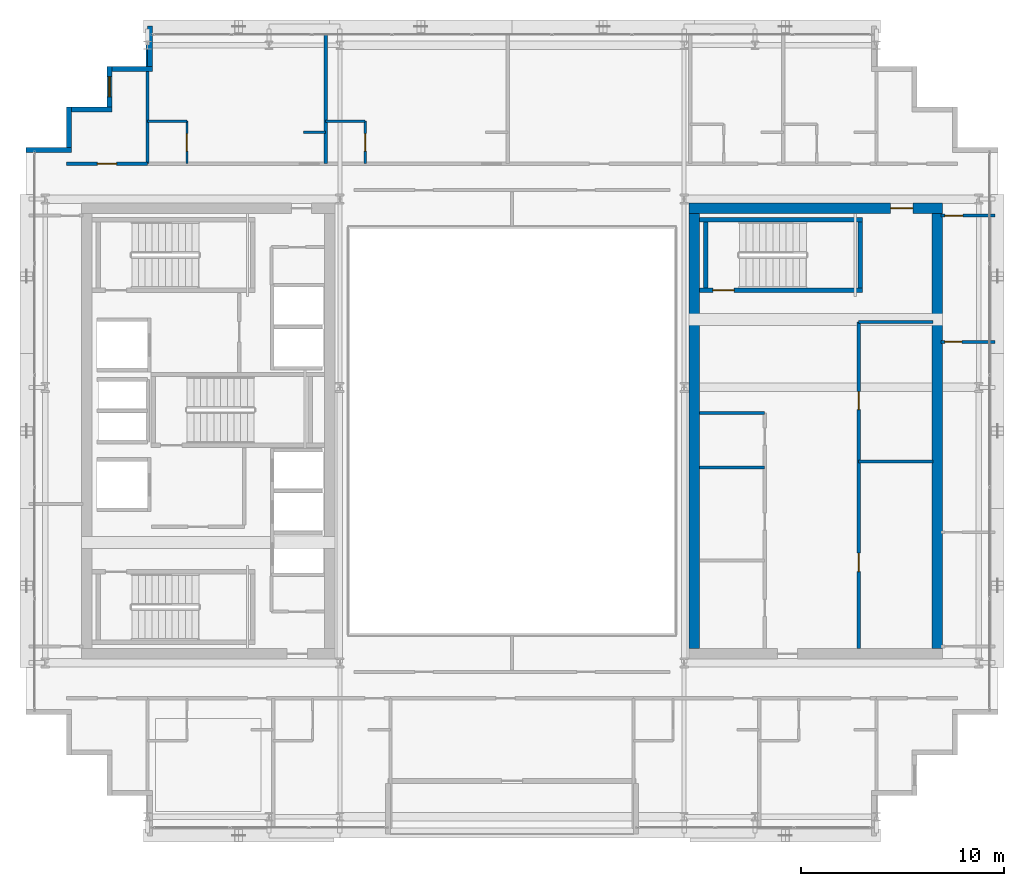
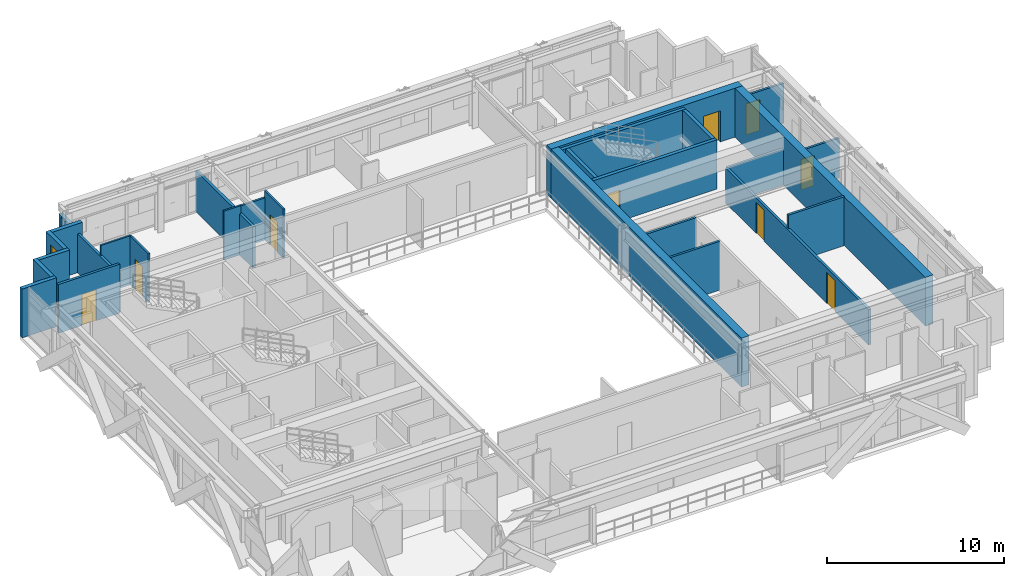
# One storey, part 26 of 31: 28 walls, 9 doors, 1 window, 10 openings.
"""IFC4 building model written with IfcOpenShell, lengths in metres."""

import ifcopenshell
import ifcopenshell.guid

model = None  # the IFC model being written
_history = None  # IfcOwnerHistory: only IFC2X3 demands one
_inside = {}  # id of a spatial element -> (the spatial element, [elements in it])
_under = {}  # id of a project, library or spatial element -> (it, [spatial elements below it])
_declared = {}  # id of a project -> (the project, [libraries it declares])
_typed = {}  # id of a type object -> (the type object, [elements of that type])
_made_of = {}  # id of a material, layer set ... -> (it, [elements and type objects made of it])


def new_model(schema):
    """Start an empty IFC model of exactly this schema.

    Asked for "IFC4X3", IfcOpenShell would pick the latest addendum, in which some entities
    have other attributes; the version numbers below select the first issue.
    IFC2X3 requires an IfcOwnerHistory on every rooted entity: one is made here for all.
    """
    global model, _history
    if schema == "IFC4X3":
        model = ifcopenshell.file(schema_version=(4, 3, 0, 0))
    else:
        model = ifcopenshell.file(schema=schema)
    _inside.clear()
    _under.clear()
    _declared.clear()
    _typed.clear()
    _made_of.clear()
    _history = None
    if model.schema == "IFC2X3":
        org = make("IfcOrganization", Name="unknown")
        user = make(
            "IfcPersonAndOrganization",
            ThePerson=make("IfcPerson", FamilyName="unknown"),
            TheOrganization=org,
        )
        app = make(
            "IfcApplication",
            ApplicationDeveloper=org,
            Version="unknown",
            ApplicationFullName="unknown",
            ApplicationIdentifier="unknown",
        )
        _history = make(
            "IfcOwnerHistory",
            OwningUser=user,
            OwningApplication=app,
            ChangeAction="ADDED",
            CreationDate=0,
        )
    return model


def make(cls, **values):
    """One entity of the class cls with the attributes given. An attribute that is None is left unset."""
    return model.create_entity(
        cls, **{name: value for name, value in values.items() if value is not None}
    )


def rooted(cls, **values):
    """An entity with a GlobalId (a new one), such as an element, a storey or a relation."""
    return make(cls, GlobalId=ifcopenshell.guid.new(), OwnerHistory=_history, **values)


def si_unit(unit_type, name, prefix=None):
    """IfcSIUnit, for example si_unit("LENGTHUNIT", "METRE", prefix="MILLI")."""
    return make("IfcSIUnit", UnitType=unit_type, Prefix=prefix, Name=name)


def assignment(units):
    """IfcUnitAssignment: the units of a project."""
    return None if units is None else make("IfcUnitAssignment", Units=units)


def point(xyz):
    """IfcCartesianPoint."""
    return None if xyz is None else make("IfcCartesianPoint", Coordinates=xyz)


def direction(xyz):
    """IfcDirection."""
    return None if xyz is None else make("IfcDirection", DirectionRatios=xyz)


def frame(location, z_axis=None, x_axis=None):
    """IfcAxis2Placement3D, a coordinate frame: its origin and axes. An axis left out is left unset."""
    return make(
        "IfcAxis2Placement3D",
        Location=point(location),
        Axis=direction(z_axis),
        RefDirection=direction(x_axis),
    )


def frame_2d(location, x_axis=None):
    """IfcAxis2Placement2D, a coordinate frame in the plane: its origin and x axis."""
    return make(
        "IfcAxis2Placement2D", Location=point(location), RefDirection=direction(x_axis)
    )


def origin():
    """The frame at (0, 0, 0) with its axes left unset."""
    return frame((0.0, 0.0, 0.0))


def place(relative_to, where):
    """IfcLocalPlacement: puts the frame where relative to a parent placement (None: the world)."""
    return make(
        "IfcLocalPlacement", PlacementRelTo=relative_to, RelativePlacement=where
    )


def context(
    kind, dimensions, precision=None, world=None, true_north=None, identifier=None
):
    """IfcGeometricRepresentationContext, for example the 3D "Model" context."""
    return make(
        "IfcGeometricRepresentationContext",
        ContextIdentifier=identifier,
        ContextType=kind,
        CoordinateSpaceDimension=dimensions,
        Precision=precision,
        WorldCoordinateSystem=world,
        TrueNorth=true_north,
    )


def subcontext(parent, identifier, kind, view, scale=None):
    """IfcGeometricRepresentationSubContext, for example "Body" below "Model"."""
    return make(
        "IfcGeometricRepresentationSubContext",
        ContextIdentifier=identifier,
        ContextType=kind,
        ParentContext=parent,
        TargetScale=scale,
        TargetView=view,
    )


def project(units=None, contexts=None):
    """IfcProject with its units and contexts."""
    return rooted(
        "IfcProject",
        Name="project",
        RepresentationContexts=contexts,
        UnitsInContext=assignment(units),
    )


def spatial(cls, under=None, at=None, **own):
    """A site, building, storey or space (cls), placed at a placement, below another one or the project."""
    s = rooted(cls, ObjectPlacement=at, **own)
    if under is not None:
        _under.setdefault(under.id(), (under, []))[1].append(s)
    return s


def profile(cls, at=None, kind="AREA", **sizes):
    """A parametric profile (cls). Its sizes go by their IFC names, for example OverallWidth=200.0."""
    return make(cls, ProfileType=kind, Position=at, **sizes)


def rectangle(**sizes):
    """IfcRectangleProfileDef."""
    return profile("IfcRectangleProfileDef", **sizes)


def extrude(swept, where, along, depth):
    """IfcExtrudedAreaSolid: the profile swept, set in the frame where, extruded along a direction by depth."""
    return make(
        "IfcExtrudedAreaSolid",
        SweptArea=swept,
        Position=where,
        ExtrudedDirection=direction(along),
        Depth=depth,
    )


def shape(context_of_items, identifier, shape_type, items):
    """IfcShapeRepresentation: the items that make up one representation, for example the "Body"."""
    return make(
        "IfcShapeRepresentation",
        ContextOfItems=context_of_items,
        RepresentationIdentifier=identifier,
        RepresentationType=shape_type,
        Items=items,
    )


def source(mapping_origin, context_of_items, identifier, shape_type, items):
    """IfcRepresentationMap: a shape defined once, which mapped items show again and again."""
    return make(
        "IfcRepresentationMap",
        MappingOrigin=mapping_origin,
        MappedRepresentation=shape(context_of_items, identifier, shape_type, items),
    )


def transform(
    local_origin,
    x_axis=None,
    y_axis=None,
    z_axis=None,
    scale=None,
    scale2=None,
    scale3=None,
    uniform=True,
):
    """IfcCartesianTransformationOperator3D, or its non-uniform kind. x_axis, y_axis, z_axis: its Axis1, 2, 3."""
    if uniform:
        return make(
            "IfcCartesianTransformationOperator3D",
            Axis1=direction(x_axis),
            Axis2=direction(y_axis),
            LocalOrigin=point(local_origin),
            Scale=scale,
            Axis3=direction(z_axis),
        )
    return make(
        "IfcCartesianTransformationOperator3DnonUniform",
        Axis1=direction(x_axis),
        Axis2=direction(y_axis),
        LocalOrigin=point(local_origin),
        Scale=scale,
        Axis3=direction(z_axis),
        Scale2=scale2,
        Scale3=scale3,
    )


def mapped(mapping_source, mapping_target):
    """IfcMappedItem: shows the shape of a source again, moved by a transform."""
    return make(
        "IfcMappedItem", MappingSource=mapping_source, MappingTarget=mapping_target
    )


def material(Name=None, Category=None):
    """IfcMaterial."""
    return make("IfcMaterial", Name=Name, Category=Category)


def layer(
    of_material, thickness, ventilated=None, Name=None, Category=None, Priority=None
):
    """IfcMaterialLayer: one layer of a wall or slab, of a material (None: an air gap)."""
    return make(
        "IfcMaterialLayer",
        Material=of_material,
        LayerThickness=thickness,
        IsVentilated=ventilated,
        Name=Name,
        Category=Category,
        Priority=Priority,
    )


def layer_set(layers, Name=None):
    """IfcMaterialLayerSet."""
    return make("IfcMaterialLayerSet", MaterialLayers=layers, LayerSetName=Name)


def made_of(thing, what):
    """Note that an element or type object is made of a material, layer set ...; save() writes the relation."""
    if what is not None:
        _made_of.setdefault(what.id(), (what, []))[1].append(thing)
    return thing


def type_object(cls, material=None, **own):
    """A type object (cls), such as IfcWallType, which elements share."""
    return made_of(rooted(cls, **own), material)


def element(
    cls,
    number,
    at=None,
    inside=None,
    cuts=None,
    type_object=None,
    material=None,
    context=None,
    identifier="Body",
    shape_type=None,
    held_by="IfcProductDefinitionShape",
    body=None,
    shapes=None,
    **own,
):
    """One element of the class cls, such as IfcWall. Its Tag is "e" and its number.

    at: its placement. inside: the storey or other place that contains it. cuts: it is an
    opening in that element (IfcRelVoidsElement). A single representation is given by context,
    identifier, shape_type and body (its items); several are given by shapes. held_by: the class
    of the entity that holds the representations. save() writes the other relations.
    """
    e = rooted(cls, Tag="e%d" % number, ObjectPlacement=at, **own)
    if body is not None:
        shapes = [shape(context, identifier, shape_type, body)]
    if shapes is not None:
        e.Representation = make(held_by, Representations=shapes)
    if inside is not None:
        _inside.setdefault(inside.id(), (inside, []))[1].append(e)
    if cuts is not None:
        rooted(
            "IfcRelVoidsElement", RelatingBuildingElement=cuts, RelatedOpeningElement=e
        )
    if type_object is not None:
        _typed.setdefault(type_object.id(), (type_object, []))[1].append(e)
    return made_of(e, material)


def fill(opening, filler):
    """IfcRelFillsElement: the door or window that sits in an opening."""
    return rooted(
        "IfcRelFillsElement",
        RelatingOpeningElement=opening,
        RelatedBuildingElement=filler,
    )


def aggregate(whole, parts):
    """IfcRelAggregates: a whole, such as a stair, and the parts it consists of."""
    return rooted("IfcRelAggregates", RelatingObject=whole, RelatedObjects=parts)


def save(model, path):
    """Write the relations noted so far, then the file.

    IfcRelAggregates (storeys below a building ...), IfcRelContainedInSpatialStructure (elements
    in a storey), IfcRelDefinesByType, IfcRelAssociatesMaterial and IfcRelDeclares: one each for
    every whole, place, type object, material and project.
    """
    for whole, parts in _under.values():
        aggregate(whole, parts)
    for where, things in _inside.values():
        rooted(
            "IfcRelContainedInSpatialStructure",
            RelatedElements=things,
            RelatingStructure=where,
        )
    for kind, things in _typed.values():
        rooted("IfcRelDefinesByType", RelatedObjects=things, RelatingType=kind)
    for what, things in _made_of.values():
        rooted("IfcRelAssociatesMaterial", RelatedObjects=things, RelatingMaterial=what)
    for by, libraries in _declared.values():
        rooted("IfcRelDeclares", RelatingContext=by, RelatedDefinitions=libraries)
    model.write(path)


model = new_model("IFC4")

# Units and contexts
model_context = context("Model", 3, precision=1e-05, world=origin(), true_north=direction((0.0, 1.0)))
body_context = subcontext(model_context, "Body", "Model", "MODEL_VIEW")
ifc_project = project(units=[si_unit("LENGTHUNIT", "METRE"), si_unit("AREAUNIT", "SQUARE_METRE"), si_unit("VOLUMEUNIT", "CUBIC_METRE"), si_unit("PLANEANGLEUNIT", "RADIAN"), si_unit("MASSUNIT", "GRAM", prefix="KILO")], contexts=[model_context])

# Site, building, storey
site_placement = place(None, origin())
site = spatial("IfcSite", under=ifc_project, at=site_placement, CompositionType="ELEMENT")
building_placement = place(site_placement, origin())
building = spatial("IfcBuilding", under=site, at=building_placement, Name="Ocotamira Hotel", CompositionType="ELEMENT")
storey_placement = place(building_placement, frame((0.0, 0.0, 174.0)))
storey = spatial("IfcBuildingStorey", under=building, at=storey_placement, Name="L43", CompositionType="ELEMENT", Elevation=174.0)

# Wall, opening, door
ifc_material_1 = material(Name="Concrete C50/60", Category="concrete")
ifc_layer_1 = layer(ifc_material_1, 0.5)
ifc_layer_set_1 = layer_set([ifc_layer_1], Name="Concrete C50/60")
wall_type_1 = type_object("IfcWallType", Name="WL-CORE-500", PredefinedType="SHEAR", material=ifc_layer_set_1)
wall_1_placement = place(storey_placement, frame((40.75, 37.0, 0.0), z_axis=(0.0, 0.0, 1.0), x_axis=(1.0, 0.0, 0.0)))
wall_1 = element("IfcWall", 1, at=wall_1_placement, inside=storey, type_object=wall_type_1, Name="L43 Shear Core Wall ECORE-N", PredefinedType="SHEAR", context=body_context, shape_type="SweptSolid", body=[
    extrude(rectangle(XDim=12.5, YDim=0.5, at=frame_2d((6.25, 0.0))), origin(), (0.0, 0.0, 1.0), 3.3701171875),
])
opening_1_placement = place(wall_1_placement, frame((9.949951171875, 0.0, 0.0)))
opening_1 = element("IfcOpeningElement", 2, at=opening_1_placement, cuts=wall_1, Name="Opening D-FR1", PredefinedType="OPENING", context=body_context, shape_type="SweptSolid", body=[
    extrude(rectangle(XDim=1.10009765625, YDim=2.14990234375, at=frame_2d((0.550048828125, 1.074951171875))), frame((0.0, 0.260009765625, 0.0), z_axis=(0.0, -1.0, 0.0), x_axis=(1.0, 0.0, 0.0)), (0.0, 0.0, 1.0), 0.52001953125),
])
ifc_material_2 = material(Name="Fire-rated acoustic timber-veneer door", Category="wood")
door_type_1 = type_object("IfcDoorType", Name="DR-FIRE-1100", OperationType="NOTDEFINED", PredefinedType="DOOR", material=ifc_material_2)
shared_shape_1 = source(origin(), body_context, "Body", "SweptSolid", [
    extrude(rectangle(XDim=1.10009765625, YDim=2.14990234375, at=frame_2d((0.550048828125, 1.074951171875))), frame((0.0, 0.02490234375, 0.0), z_axis=(0.0, -1.0, 0.0), x_axis=(1.0, 0.0, 0.0)), (0.0, 0.0, 1.0), 0.050048828125),
])
door_1_placement = place(opening_1_placement, origin())
door_1 = element("IfcDoor", 3, at=door_1_placement, inside=storey, type_object=door_type_1, Name="L43 Door ID-L43-ELOB-N-D [ID-L43-ELOB-N-D]", OperationType="SINGLE_SWING_LEFT", OverallHeight=2.14990234375, OverallWidth=1.10009765625, PredefinedType="DOOR", context=body_context, shape_type="MappedRepresentation", body=[
    mapped(shared_shape_1, transform((0.0, 0.0, 0.0), scale=1.0)),
])
fill(opening_1, door_1)

# Walls
for number, where, z_axis, x_axis, name in (
    (4, (41.0, 15.25, 0.0), (0.0, 0.0, 1.0), (0.0, 1.0, 0.0), "L43 Shear Core Wall ECORE-W"),
    (5, (53.0, 15.25, 0.0), (0.0, 0.0, 1.0), (0.0, 1.0, 0.0), "L43 Shear Core Wall ECORE-E"),
):
    element("IfcWall", number, at=place(storey_placement, frame(where, z_axis=z_axis, x_axis=x_axis)), inside=storey, type_object=wall_type_1, Name=name, PredefinedType="SHEAR", context=body_context, shape_type="SweptSolid", body=[
        extrude(rectangle(XDim=21.5, YDim=0.5, at=frame_2d((10.75, 0.0))), origin(), (0.0, 0.0, 1.0), 3.3701171875),
    ])
ifc_material_3 = material(Name="Precast concrete C45/55", Category="concrete")
ifc_layer_2 = layer(ifc_material_3, 0.25)
ifc_layer_set_2 = layer_set([ifc_layer_2], Name="Precast concrete C45/55")
wall_type_2 = type_object("IfcWallType", Name="WL-EXT-SER-250", PredefinedType="SOLIDWALL", material=ifc_layer_set_2)
wall_2_placement = place(storey_placement, frame((14.125, 46.0, 0.0), z_axis=(0.0, 0.0, 1.0), x_axis=(0.0, -1.0, 0.0)))
element("IfcWall", 6, at=wall_2_placement, inside=storey, type_object=wall_type_2, Name="L43 Serrated Corner Wall 13", PredefinedType="SOLIDWALL", context=body_context, shape_type="SweptSolid", body=[
    extrude(rectangle(XDim=2.0, YDim=0.25, at=frame_2d((1.0, 0.0))), origin(), (0.0, 0.0, 1.0), 2.677001953125),
])
wall_3_placement = place(storey_placement, frame((14.25, 43.875, 0.0), z_axis=(0.0, 0.0, 1.0), x_axis=(-1.0, 0.0, 0.0)))
element("IfcWall", 7, at=wall_3_placement, inside=storey, type_object=wall_type_2, Name="L43 Serrated Corner Wall 14", PredefinedType="SOLIDWALL", context=body_context, shape_type="SweptSolid", body=[
    extrude(rectangle(XDim=2.0, YDim=0.25, at=frame_2d((1.0, 0.0))), origin(), (0.0, 0.0, 1.0), 3.3701171875),
])

# Wall, opening, window
wall_4_placement = place(storey_placement, frame((12.125, 44.0, 0.0), z_axis=(0.0, 0.0, 1.0), x_axis=(0.0, -1.0, 0.0)))
wall_4 = element("IfcWall", 8, at=wall_4_placement, inside=storey, type_object=wall_type_2, Name="L43 Serrated Corner Wall 15", PredefinedType="SOLIDWALL", context=body_context, shape_type="SweptSolid", body=[
    extrude(rectangle(XDim=2.0, YDim=0.25, at=frame_2d((1.0, 0.0))), origin(), (0.0, 0.0, 1.0), 3.3701171875),
])
opening_2_placement = place(wall_4_placement, frame((0.5, 0.0, 0.85009765625)))
opening_2 = element("IfcOpeningElement", 9, at=opening_2_placement, cuts=wall_4, Name="Opening WN-2", PredefinedType="OPENING", context=body_context, shape_type="SweptSolid", body=[
    extrude(rectangle(XDim=1.0, YDim=1.89990234375, at=frame_2d((0.5, 0.949951171875))), frame((0.0, 0.135009765625, 0.0), z_axis=(0.0, -1.0, 0.0), x_axis=(1.0, 0.0, 0.0)), (0.0, 0.0, 1.0), 0.27001953125),
])
ifc_material_4 = material(Name="Double-silver low-E solar glass", Category="glass")
window_type = type_object("IfcWindowType", Name="WIN-SER-1100", PartitioningType="SINGLE_PANEL", PredefinedType="WINDOW", material=ifc_material_4)
shared_shape_2 = source(origin(), body_context, "Body", "SweptSolid", [
    extrude(rectangle(XDim=1.0, YDim=1.89990234375, at=frame_2d((0.5, 0.949951171875))), frame((0.0, 0.030029296875, 0.0), z_axis=(0.0, -1.0, 0.0), x_axis=(1.0, 0.0, 0.0)), (0.0, 0.0, 1.0), 0.06005859375),
])
window_placement = place(opening_2_placement, origin())
window = element("IfcWindow", 10, at=window_placement, inside=storey, type_object=window_type, Name="L43 Serrated Corner Window 15", OverallHeight=1.89990234375, OverallWidth=1.0, PartitioningType="SINGLE_PANEL", PredefinedType="WINDOW", context=body_context, shape_type="MappedRepresentation", body=[
    mapped(shared_shape_2, transform((0.0, 0.0, 0.0), scale=1.0)),
])
fill(opening_2, window)

# Walls
for number, where, z_axis, x_axis, name in (
    (11, (12.25, 41.875, 0.0), (0.0, 0.0, 1.0), (-1.0, 0.0, 0.0), "L43 Serrated Corner Wall 16"),
    (12, (10.125, 42.0, 0.0), (0.0, 0.0, 1.0), (0.0, -1.0, 0.0), "L43 Serrated Corner Wall 17"),
):
    element("IfcWall", number, at=place(storey_placement, frame(where, z_axis=z_axis, x_axis=x_axis)), inside=storey, type_object=wall_type_2, Name=name, PredefinedType="SOLIDWALL", context=body_context, shape_type="SweptSolid", body=[
        extrude(rectangle(XDim=2.0, YDim=0.25, at=frame_2d((1.0, 0.0))), origin(), (0.0, 0.0, 1.0), 3.3701171875),
    ])
wall_5_placement = place(storey_placement, frame((10.25, 39.875, 0.0), z_axis=(0.0, 0.0, 1.0), x_axis=(-1.0, 0.0, 0.0)))
element("IfcWall", 13, at=wall_5_placement, inside=storey, type_object=wall_type_2, Name="L43 Serrated Corner Wall 18", PredefinedType="SOLIDWALL", context=body_context, shape_type="SweptSolid", body=[
    extrude(rectangle(XDim=2.25, YDim=0.25, at=frame_2d((1.125, 0.0))), origin(), (0.0, 0.0, 1.0), 3.3701171875),
])
ifc_material_5 = material(Name="Acoustic double-layer fire gypsum board partition", Category="gypsum")
ifc_layer_3 = layer(ifc_material_5, 0.159912109375)
ifc_layer_set_3 = layer_set([ifc_layer_3], Name="Acoustic double-layer fire gypsum board partition")
wall_type_3 = type_object("IfcWallType", Name="WL-FIRE-160", PredefinedType="PARTITIONING", material=ifc_layer_set_3)
wall_6_placement = place(storey_placement, frame((49.1201171875, 31.3798828125, 0.0), z_axis=(0.0, 0.0, 1.0), x_axis=(1.0, 0.0, 0.0)))
element("IfcWall", 14, at=wall_6_placement, inside=storey, type_object=wall_type_3, Name="L43 Interior Wall PW-L43-EC-FLOW-N", PredefinedType="PARTITIONING", context=body_context, shape_type="SweptSolid", body=[
    extrude(rectangle(XDim=3.679931640625, YDim=0.159912109375, at=frame_2d((1.83984375, 0.0))), origin(), (0.0, 0.0, 1.0), 2.469970703125),
])

# Wall, openings, doors
wall_7_placement = place(storey_placement, frame((49.1201171875, 15.25, 0.0), z_axis=(0.0, 0.0, 1.0), x_axis=(0.0, 1.0, 0.0)))
wall_7 = element("IfcWall", 15, at=wall_7_placement, inside=storey, type_object=wall_type_3, Name="L43 Interior Wall PW-L43-EC-FLOW-W", PredefinedType="PARTITIONING", context=body_context, shape_type="SweptSolid", body=[
    extrude(rectangle(XDim=16.1298828125, YDim=0.159912109375, at=frame_2d((8.06494140625, 0.0))), origin(), (0.0, 0.0, 1.0), 2.443115234375),
])
opening_3_placement = place(wall_7_placement, frame((3.800048828125, 0.0, 0.0)))
opening_3 = element("IfcOpeningElement", 16, at=opening_3_placement, cuts=wall_7, Name="Opening D-SV3", PredefinedType="OPENING", context=body_context, shape_type="SweptSolid", body=[
    extrude(rectangle(XDim=0.919921875, YDim=2.14990234375, at=frame_2d((0.4599609375, 1.074951171875))), frame((0.0, 0.08984375, 0.0), z_axis=(0.0, -1.0, 0.0), x_axis=(1.0, 0.0, 0.0)), (0.0, 0.0, 1.0), 0.179931640625),
])
opening_4_placement = place(wall_7_placement, frame((11.800048828125, 0.0, 0.0)))
opening_4 = element("IfcOpeningElement", 17, at=opening_4_placement, cuts=wall_7, Name="Opening D-IN3", PredefinedType="OPENING", context=body_context, shape_type="SweptSolid", body=[
    extrude(rectangle(XDim=0.89990234375, YDim=2.14990234375, at=frame_2d((0.449951171875, 1.074951171875))), frame((0.0, 0.08984375, 0.0), z_axis=(0.0, -1.0, 0.0), x_axis=(1.0, 0.0, 0.0)), (0.0, 0.0, 1.0), 0.179931640625),
])
ifc_material_6 = material(Name="Painted service room door", Category="steel")
door_type_2 = type_object("IfcDoorType", Name="DR-INT-900", OperationType="NOTDEFINED", PredefinedType="DOOR", material=ifc_material_6)
shared_shape_3 = source(origin(), body_context, "Body", "SweptSolid", [
    extrude(rectangle(XDim=0.89990234375, YDim=2.14990234375, at=frame_2d((0.449951171875, 1.074951171875))), frame((0.0, 0.02490234375, 0.0), z_axis=(0.0, -1.0, 0.0), x_axis=(1.0, 0.0, 0.0)), (0.0, 0.0, 1.0), 0.050048828125),
])
door_2_placement = place(opening_4_placement, origin())
door_2 = element("IfcDoor", 18, at=door_2_placement, inside=storey, type_object=door_type_2, Name="L43 Door ID-L43-EC-FLOW-DB [ID-L43-EC-FLOW-DB]", OperationType="SINGLE_SWING_RIGHT", OverallHeight=2.14990234375, OverallWidth=0.89990234375, PredefinedType="DOOR", context=body_context, shape_type="MappedRepresentation", body=[
    mapped(shared_shape_3, transform((0.0, 0.0, 0.0), scale=1.0)),
])
fill(opening_4, door_2)
ifc_material_7 = material(Name="Fire-rated walnut hospitality door", Category="wood")
door_type_3 = type_object("IfcDoorType", Name="DR-SERV-920", OperationType="NOTDEFINED", PredefinedType="DOOR", material=ifc_material_7)
shared_shape_4 = source(origin(), body_context, "Body", "SweptSolid", [
    extrude(rectangle(XDim=0.919921875, YDim=2.14990234375, at=frame_2d((0.4599609375, 1.074951171875))), frame((0.0, 0.02490234375, 0.0), z_axis=(0.0, -1.0, 0.0), x_axis=(1.0, 0.0, 0.0)), (0.0, 0.0, 1.0), 0.050048828125),
])
door_3_placement = place(opening_3_placement, origin())
door_3 = element("IfcDoor", 19, at=door_3_placement, inside=storey, type_object=door_type_3, Name="L43 Door ID-L43-EC-FLOW-DA [ID-L43-EC-FLOW-DA]", OperationType="SINGLE_SWING_LEFT", OverallHeight=2.14990234375, OverallWidth=0.919921875, PredefinedType="DOOR", context=body_context, shape_type="MappedRepresentation", body=[
    mapped(shared_shape_4, transform((0.0, 0.0, 0.0), scale=1.0)),
])
fill(opening_3, door_3)

# Wall, opening, door
wall_8_placement = place(storey_placement, frame((10.0, 39.199951171875, 0.0), z_axis=(0.0, 0.0, 1.0), x_axis=(1.0, 0.0, 0.0)))
wall_8 = element("IfcWall", 20, at=wall_8_placement, inside=storey, type_object=wall_type_3, Name="L43 Interior Wall PW-L43-Z3B-CNW-CW", PredefinedType="PARTITIONING", context=body_context, shape_type="SweptSolid", body=[
    extrude(rectangle(XDim=4.0, YDim=0.159912109375, at=frame_2d((2.0, 0.0))), origin(), (0.0, 0.0, 1.0), 3.3701171875),
])
opening_5_placement = place(wall_8_placement, frame((1.52001953125, 0.0, 0.0)))
opening_5 = element("IfcOpeningElement", 21, at=opening_5_placement, cuts=wall_8, Name="Opening D-SV4", PredefinedType="OPENING", context=body_context, shape_type="SweptSolid", body=[
    extrude(rectangle(XDim=0.9599609375, YDim=2.14990234375, at=frame_2d((0.47998046875, 1.074951171875))), frame((0.0, 0.08984375, 0.0), z_axis=(0.0, -1.0, 0.0), x_axis=(1.0, 0.0, 0.0)), (0.0, 0.0, 1.0), 0.179931640625),
])
ifc_material_8 = material(Name="Fire-rated accessible walnut salon door", Category="wood")
door_type_4 = type_object("IfcDoorType", Name="DR-SERV-960", OperationType="NOTDEFINED", PredefinedType="DOOR", material=ifc_material_8)
shared_shape_5 = source(origin(), body_context, "Body", "SweptSolid", [
    extrude(rectangle(XDim=0.9599609375, YDim=2.14990234375, at=frame_2d((0.47998046875, 1.074951171875))), frame((0.0, 0.02490234375, 0.0), z_axis=(0.0, -1.0, 0.0), x_axis=(1.0, 0.0, 0.0)), (0.0, 0.0, 1.0), 0.050048828125),
])
door_4_placement = place(opening_5_placement, origin())
door_4 = element("IfcDoor", 22, at=door_4_placement, inside=storey, type_object=door_type_4, Name="L43 Door ID-L43-Z3B-CNW-CD [ID-L43-Z3B-CNW-CD]", OperationType="SINGLE_SWING_LEFT", OverallHeight=2.14990234375, OverallWidth=0.9599609375, PredefinedType="DOOR", context=body_context, shape_type="MappedRepresentation", body=[
    mapped(shared_shape_5, transform((0.0, 0.0, 0.0), scale=1.0)),
])
fill(opening_5, door_4)

ifc_material_9 = material(Name="Moisture-resistant en-suite tile and gypsum partition", Category="gypsum")
ifc_layer_4 = layer(ifc_material_9, 0.1201171875)
ifc_layer_set_4 = layer_set([ifc_layer_4], Name="Moisture-resistant en-suite tile and gypsum partition")
wall_type_4 = type_object("IfcWallType", Name="WL-PART-120", PredefinedType="PARTITIONING", material=ifc_layer_set_4)
wall_9_placement = place(storey_placement, frame((15.949951171875, 39.199951171875, 0.0), z_axis=(0.0, 0.0, 1.0), x_axis=(0.0, 1.0, 0.0)))
wall_9 = element("IfcWall", 23, at=wall_9_placement, inside=storey, type_object=wall_type_4, Name="L43 Interior Wall PW-L43-Z3BN-BAE1", PredefinedType="PARTITIONING", context=body_context, shape_type="SweptSolid", body=[
    extrude(rectangle(XDim=2.10009765625, YDim=0.1201171875, at=frame_2d((1.050048828125, 0.0))), origin(), (0.0, 0.0, 1.0), 3.3701171875),
])
opening_6_placement = place(wall_9_placement, frame((0.6201171875, 0.0, 0.0)))
opening_6 = element("IfcOpeningElement", 24, at=opening_6_placement, cuts=wall_9, Name="Opening D-BA1", PredefinedType="OPENING", context=body_context, shape_type="SweptSolid", body=[
    extrude(rectangle(XDim=0.860107421875, YDim=2.10009765625, at=frame_2d((0.43017578125, 1.050048828125))), frame((0.0, 0.070068359375, 0.0), z_axis=(0.0, -1.0, 0.0), x_axis=(1.0, 0.0, 0.0)), (0.0, 0.0, 1.0), 0.14013671875),
])
ifc_material_10 = material(Name="Moisture-sealed en-suite timber door", Category="wood")
door_type_5 = type_object("IfcDoorType", Name="DR-BATH-860", OperationType="NOTDEFINED", PredefinedType="DOOR", material=ifc_material_10)
shared_shape_6 = source(origin(), body_context, "Body", "SweptSolid", [
    extrude(rectangle(XDim=0.860107421875, YDim=2.10009765625, at=frame_2d((0.43017578125, 1.050048828125))), frame((0.0, 0.02490234375, 0.0), z_axis=(0.0, -1.0, 0.0), x_axis=(1.0, 0.0, 0.0)), (0.0, 0.0, 1.0), 0.050048828125),
])
door_5_placement = place(opening_6_placement, origin())
door_5 = element("IfcDoor", 25, at=door_5_placement, inside=storey, type_object=door_type_5, Name="L43 Door ID-L43-Z3BN-BAD1 [ID-L43-Z3BN-BAD1]", OperationType="SINGLE_SWING_RIGHT", OverallHeight=2.10009765625, OverallWidth=0.860107421875, PredefinedType="DOOR", context=body_context, shape_type="MappedRepresentation", body=[
    mapped(shared_shape_6, transform((0.0, 0.0, 0.0), scale=1.0)),
])
fill(opening_6, door_5)

# Walls
wall_10_placement = place(storey_placement, frame((14.0, 41.300048828125, 0.0), z_axis=(0.0, 0.0, 1.0), x_axis=(1.0, 0.0, 0.0)))
element("IfcWall", 26, at=wall_10_placement, inside=storey, type_object=wall_type_4, Name="L43 Interior Wall PW-L43-Z3BN-BAN1", PredefinedType="PARTITIONING", context=body_context, shape_type="SweptSolid", body=[
    extrude(rectangle(XDim=1.949951171875, YDim=0.1201171875, at=frame_2d((0.97509765625, 0.0))), origin(), (0.0, 0.0, 1.0), 3.3701171875),
])
wall_11_placement = place(storey_placement, frame((21.699951171875, 40.75, 0.0), z_axis=(0.0, 0.0, 1.0), x_axis=(1.0, 0.0, 0.0)))
element("IfcWall", 27, at=wall_11_placement, inside=storey, type_object=wall_type_4, Name="L43 Interior Wall PW-L43-Z3BN-DRN1", PredefinedType="PARTITIONING", context=body_context, shape_type="SweptSolid", body=[
    extrude(rectangle(XDim=1.10009765625, YDim=0.1201171875, at=frame_2d((0.550048828125, 0.0))), origin(), (0.0, 0.0, 1.0), 3.3701171875),
])

# Wall, opening, door
wall_12_placement = place(storey_placement, frame((24.75, 39.199951171875, 0.0), z_axis=(0.0, 0.0, 1.0), x_axis=(0.0, 1.0, 0.0)))
wall_12 = element("IfcWall", 28, at=wall_12_placement, inside=storey, type_object=wall_type_4, Name="L43 Interior Wall PW-L43-Z3BN-BAE2", PredefinedType="PARTITIONING", context=body_context, shape_type="SweptSolid", body=[
    extrude(rectangle(XDim=2.10009765625, YDim=0.1201171875, at=frame_2d((1.050048828125, 0.0))), origin(), (0.0, 0.0, 1.0), 3.3701171875),
])
opening_7_placement = place(wall_12_placement, frame((0.6201171875, 0.0, 0.0)))
opening_7 = element("IfcOpeningElement", 29, at=opening_7_placement, cuts=wall_12, Name="Opening D-BA1", PredefinedType="OPENING", context=body_context, shape_type="SweptSolid", body=[
    extrude(rectangle(XDim=0.860107421875, YDim=2.10009765625, at=frame_2d((0.43017578125, 1.050048828125))), frame((0.0, 0.070068359375, 0.0), z_axis=(0.0, -1.0, 0.0), x_axis=(1.0, 0.0, 0.0)), (0.0, 0.0, 1.0), 0.14013671875),
])
door_6_placement = place(opening_7_placement, origin())
door_6 = element("IfcDoor", 30, at=door_6_placement, inside=storey, type_object=door_type_5, Name="L43 Door ID-L43-Z3BN-BAD2 [ID-L43-Z3BN-BAD2]", OperationType="SINGLE_SWING_LEFT", OverallHeight=2.10009765625, OverallWidth=0.860107421875, PredefinedType="DOOR", context=body_context, shape_type="MappedRepresentation", body=[
    mapped(shared_shape_6, transform((0.0, 0.0, 0.0), scale=1.0)),
])
fill(opening_7, door_6)

# Walls
wall_13_placement = place(storey_placement, frame((22.800048828125, 41.300048828125, 0.0), z_axis=(0.0, 0.0, 1.0), x_axis=(1.0, 0.0, 0.0)))
element("IfcWall", 31, at=wall_13_placement, inside=storey, type_object=wall_type_4, Name="L43 Interior Wall PW-L43-Z3BN-BAN2", PredefinedType="PARTITIONING", context=body_context, shape_type="SweptSolid", body=[
    extrude(rectangle(XDim=1.949951171875, YDim=0.1201171875, at=frame_2d((0.97509765625, 0.0))), origin(), (0.0, 0.0, 1.0), 2.9130859375),
])
ifc_material_11 = material(Name="Acoustic hospitality gypsum board partition", Category="gypsum")
ifc_layer_5 = layer(ifc_material_11, 0.14208984375)
ifc_layer_set_5 = layer_set([ifc_layer_5], Name="Acoustic hospitality gypsum board partition")
wall_type_5 = type_object("IfcWallType", Name="WL-PART-142", PredefinedType="PARTITIONING", material=ifc_layer_set_5)
wall_14_placement = place(storey_placement, frame((41.25, 24.199951171875, 0.0), z_axis=(0.0, 0.0, 1.0), x_axis=(1.0, 0.0, 0.0)))
element("IfcWall", 32, at=wall_14_placement, inside=storey, type_object=wall_type_5, Name="L43 Interior Wall PW-L43-EC-FMD2", PredefinedType="PARTITIONING", context=body_context, shape_type="SweptSolid", body=[
    extrude(rectangle(XDim=3.22998046875, YDim=0.14208984375, at=frame_2d((1.614990234375, 0.0))), origin(), (0.0, 0.0, 1.0), 3.3701171875),
])

# Wall, opening, door
wall_15_placement = place(storey_placement, frame((53.179931640625, 30.39990234375, 0.0), z_axis=(0.0, 0.0, 1.0), x_axis=(1.0, 0.0, 0.0)))
wall_15 = element("IfcWall", 33, at=wall_15_placement, inside=storey, type_object=wall_type_5, Name="L43 Interior Wall PW-L43-Z3B-EF-DV2", PredefinedType="PARTITIONING", context=body_context, shape_type="SweptSolid", body=[
    extrude(rectangle(XDim=2.66015625, YDim=0.14208984375, at=frame_2d((1.330078125, 0.0))), origin(), (0.0, 0.0, 1.0), 2.7529296875),
])
opening_8_placement = place(wall_15_placement, frame((0.199951171875, 0.0, 0.0)))
opening_8 = element("IfcOpeningElement", 34, at=opening_8_placement, cuts=wall_15, Name="Opening D-SV1", PredefinedType="OPENING", context=body_context, shape_type="SweptSolid", body=[
    extrude(rectangle(XDim=0.840087890625, YDim=2.10009765625, at=frame_2d((0.419921875, 1.050048828125))), frame((0.0, 0.0810546875, 0.0), z_axis=(0.0, -1.0, 0.0), x_axis=(1.0, 0.0, 0.0)), (0.0, 0.0, 1.0), 0.162109375),
])
ifc_material_12 = material(Name="Fire-rated painted steel service door", Category="steel")
door_type_6 = type_object("IfcDoorType", Name="DR-SERV-840", OperationType="NOTDEFINED", PredefinedType="DOOR", material=ifc_material_12)
shared_shape_7 = source(origin(), body_context, "Body", "SweptSolid", [
    extrude(rectangle(XDim=0.840087890625, YDim=2.10009765625, at=frame_2d((0.419921875, 1.050048828125))), frame((0.0, 0.02490234375, 0.0), z_axis=(0.0, -1.0, 0.0), x_axis=(1.0, 0.0, 0.0)), (0.0, 0.0, 1.0), 0.050048828125),
])
door_7_placement = place(opening_8_placement, origin())
door_7 = element("IfcDoor", 35, at=door_7_placement, inside=storey, type_object=door_type_6, Name="L43 Door ID-L43-Z3B-EF-DV2D [ID-L43-Z3B-EF-DV2D]", OperationType="SINGLE_SWING_RIGHT", OverallHeight=2.10009765625, OverallWidth=0.840087890625, PredefinedType="DOOR", context=body_context, shape_type="MappedRepresentation", body=[
    mapped(shared_shape_7, transform((0.0, 0.0, 0.0), scale=1.0)),
])
fill(opening_8, door_7)

# Walls
ifc_layer_6 = layer(ifc_material_11, 0.14990234375)
ifc_layer_set_6 = layer_set([ifc_layer_6], Name="Acoustic hospitality gypsum board partition")
wall_type_6 = type_object("IfcWallType", Name="WL-PART-150", PredefinedType="PARTITIONING", material=ifc_layer_set_6)
wall_16_placement = place(storey_placement, frame((49.1201171875, 24.489990234375, 0.0), z_axis=(0.0, 0.0, 1.0), x_axis=(1.0, 0.0, 0.0)))
element("IfcWall", 36, at=wall_16_placement, inside=storey, type_object=wall_type_6, Name="L43 Interior Wall PW-L43-EC-FDIVA", PredefinedType="PARTITIONING", context=body_context, shape_type="SweptSolid", body=[
    extrude(rectangle(XDim=3.679931640625, YDim=0.14990234375, at=frame_2d((1.83984375, 0.0))), origin(), (0.0, 0.0, 1.0), 3.3701171875),
])
wall_17_placement = place(storey_placement, frame((41.25, 26.8798828125, 0.0), z_axis=(0.0, 0.0, 1.0), x_axis=(1.0, 0.0, 0.0)))
element("IfcWall", 37, at=wall_17_placement, inside=storey, type_object=wall_type_6, Name="L43 Interior Wall PW-L43-EC-FMID-N", PredefinedType="PARTITIONING", context=body_context, shape_type="SweptSolid", body=[
    extrude(rectangle(XDim=3.22998046875, YDim=0.14990234375, at=frame_2d((1.614990234375, 0.0))), origin(), (0.0, 0.0, 1.0), 3.3701171875),
])

# Wall, opening, door
wall_18_placement = place(storey_placement, frame((53.179931640625, 36.639892578125, 0.0), z_axis=(0.0, 0.0, 1.0), x_axis=(1.0, 0.0, 0.0)))
wall_18 = element("IfcWall", 38, at=wall_18_placement, inside=storey, type_object=wall_type_6, Name="L43 Interior Wall PW-L43-Z3B-EF-WN", PredefinedType="PARTITIONING", context=body_context, shape_type="SweptSolid", body=[
    extrude(rectangle(XDim=2.66015625, YDim=0.14990234375, at=frame_2d((1.330078125, 0.0))), origin(), (0.0, 0.0, 1.0), 2.7529296875),
])
opening_9_placement = place(wall_18_placement, frame((0.199951171875, 0.0, 0.0)))
opening_9 = element("IfcOpeningElement", 39, at=opening_9_placement, cuts=wall_18, Name="Opening D-SV2", PredefinedType="OPENING", context=body_context, shape_type="SweptSolid", body=[
    extrude(rectangle(XDim=0.8798828125, YDim=2.14990234375, at=frame_2d((0.43994140625, 1.074951171875))), frame((0.0, 0.0849609375, 0.0), z_axis=(0.0, -1.0, 0.0), x_axis=(1.0, 0.0, 0.0)), (0.0, 0.0, 1.0), 0.169921875),
])
door_type_7 = type_object("IfcDoorType", Name="DR-SERV-880", OperationType="NOTDEFINED", PredefinedType="DOOR", material=ifc_material_12)
shared_shape_8 = source(origin(), body_context, "Body", "SweptSolid", [
    extrude(rectangle(XDim=0.8798828125, YDim=2.14990234375, at=frame_2d((0.43994140625, 1.074951171875))), frame((0.0, 0.02490234375, 0.0), z_axis=(0.0, -1.0, 0.0), x_axis=(1.0, 0.0, 0.0)), (0.0, 0.0, 1.0), 0.050048828125),
])
door_8_placement = place(opening_9_placement, origin())
door_8 = element("IfcDoor", 40, at=door_8_placement, inside=storey, type_object=door_type_7, Name="L43 Door ID-L43-Z3B-EF-DN [ID-L43-Z3B-EF-DN]", OperationType="SINGLE_SWING_LEFT", OverallHeight=2.14990234375, OverallWidth=0.8798828125, PredefinedType="DOOR", context=body_context, shape_type="MappedRepresentation", body=[
    mapped(shared_shape_8, transform((0.0, 0.0, 0.0), scale=1.0)),
])
fill(opening_9, door_8)

# Walls
ifc_material_13 = material(Name="Acoustic double-stud hospitality gypsum partition", Category="gypsum")
ifc_layer_7 = layer(ifc_material_13, 0.159912109375)
ifc_layer_set_7 = layer_set([ifc_layer_7], Name="Acoustic double-stud hospitality gypsum partition")
wall_type_7 = type_object("IfcWallType", Name="WL-PART-160", PredefinedType="PARTITIONING", material=ifc_layer_set_7)
wall_19_placement = place(storey_placement, frame((14.0, 39.199951171875, 0.0), z_axis=(0.0, 0.0, 1.0), x_axis=(0.0, 1.0, 0.0)))
element("IfcWall", 41, at=wall_19_placement, inside=storey, type_object=wall_type_7, Name="L43 Interior Wall PW-L43-Z3BN-PW0", PredefinedType="PARTITIONING", context=body_context, shape_type="SweptSolid", body=[
    extrude(rectangle(XDim=6.43994140625, YDim=0.159912109375, at=frame_2d((3.219970703125, 0.0))), origin(), (0.0, 0.0, 1.0), 2.677001953125),
])
ifc_material_14 = material(Name="Double-stud suite party gypsum partition", Category="gypsum")
ifc_layer_8 = layer(ifc_material_14, 0.175048828125)
ifc_layer_set_8 = layer_set([ifc_layer_8], Name="Double-stud suite party gypsum partition")
wall_type_8 = type_object("IfcWallType", Name="WL-PART-175", PredefinedType="PARTITIONING", material=ifc_layer_set_8)
wall_20_placement = place(storey_placement, frame((22.800048828125, 39.199951171875, 0.0), z_axis=(0.0, 0.0, 1.0), x_axis=(0.0, 1.0, 0.0)))
element("IfcWall", 42, at=wall_20_placement, inside=storey, type_object=wall_type_8, Name="L43 Interior Wall PW-L43-Z3BN-PW1", PredefinedType="PARTITIONING", context=body_context, shape_type="SweptSolid", body=[
    extrude(rectangle(XDim=6.43994140625, YDim=0.175048828125, at=frame_2d((3.219970703125, 0.0))), origin(), (0.0, 0.0, 1.0), 2.8330078125),
])

# Wall, opening, door
ifc_layer_9 = layer(ifc_material_1, 0.219970703125)
ifc_layer_set_9 = layer_set([ifc_layer_9], Name="Concrete C50/60")
wall_type_9 = type_object("IfcWallType", Name="WL-STAIR-220", PredefinedType="SHEAR", material=ifc_layer_set_9)
wall_21_placement = place(storey_placement, frame((41.25, 32.93994140625, 0.0), z_axis=(0.0, 0.0, 1.0), x_axis=(1.0, 0.0, 0.0)))
wall_21 = element("IfcWall", 43, at=wall_21_placement, inside=storey, type_object=wall_type_9, Name="L43 Stair Shaft Structural Wall ST-4-S", PredefinedType="SHEAR", context=body_context, shape_type="SweptSolid", body=[
    extrude(rectangle(XDim=8.06005859375, YDim=0.219970703125, at=frame_2d((4.030029296875, 0.0))), origin(), (0.0, 0.0, 1.0), 3.39990234375),
])
opening_10_placement = place(wall_21_placement, frame((0.669921875, 0.0, 0.0)))
opening_10 = element("IfcOpeningElement", 44, at=opening_10_placement, cuts=wall_21, Name="Opening D-ST2", PredefinedType="OPENING", context=body_context, shape_type="SweptSolid", body=[
    extrude(rectangle(XDim=1.050048828125, YDim=2.14990234375, at=frame_2d((0.52490234375, 1.074951171875))), frame((0.0, 0.1201171875, 0.0), z_axis=(0.0, -1.0, 0.0), x_axis=(1.0, 0.0, 0.0)), (0.0, 0.0, 1.0), 0.239990234375),
])
ifc_material_15 = material(Name="Insulated painted hollow-metal fire exit door", Category="steel")
door_type_8 = type_object("IfcDoorType", Name="DR-STAIR-1050", OperationType="NOTDEFINED", PredefinedType="DOOR", material=ifc_material_15)
shared_shape_9 = source(origin(), body_context, "Body", "SweptSolid", [
    extrude(rectangle(XDim=1.050048828125, YDim=2.14990234375, at=frame_2d((0.52490234375, 1.074951171875))), frame((0.0, 0.02490234375, 0.0), z_axis=(0.0, -1.0, 0.0), x_axis=(1.0, 0.0, 0.0)), (0.0, 0.0, 1.0), 0.050048828125),
])
door_9_placement = place(opening_10_placement, origin())
door_9 = element("IfcDoor", 45, at=door_9_placement, inside=storey, type_object=door_type_8, Name="L43 Door ID-L43-STD-ST-4 [ID-L43-STD-ST-4]", OperationType="SINGLE_SWING_LEFT", OverallHeight=2.14990234375, OverallWidth=1.050048828125, PredefinedType="DOOR", context=body_context, shape_type="MappedRepresentation", body=[
    mapped(shared_shape_9, transform((0.0, 0.0, 0.0), scale=1.0)),
])
fill(opening_10, door_9)

# Walls
wall_22_placement = place(storey_placement, frame((41.25, 36.43994140625, 0.0), z_axis=(0.0, 0.0, 1.0), x_axis=(1.0, 0.0, 0.0)))
element("IfcWall", 46, at=wall_22_placement, inside=storey, type_object=wall_type_9, Name="L43 Stair Shaft Structural Wall ST-4-N", PredefinedType="SHEAR", context=body_context, shape_type="SweptSolid", body=[
    extrude(rectangle(XDim=8.06005859375, YDim=0.219970703125, at=frame_2d((4.030029296875, 0.0))), origin(), (0.0, 0.0, 1.0), 3.39990234375),
])
for number, where, z_axis, x_axis, name in (
    (47, (41.56005859375, 33.050048828125, 0.0), (0.0, 0.0, 1.0), (0.0, 1.0, 0.0), "L43 Stair Shaft Structural Wall ST-4-W"),
    (48, (49.199951171875, 33.050048828125, 0.0), (0.0, 0.0, 1.0), (0.0, 1.0, 0.0), "L43 Stair Shaft Structural Wall ST-4-E"),
):
    element("IfcWall", number, at=place(storey_placement, frame(where, z_axis=z_axis, x_axis=x_axis)), inside=storey, type_object=wall_type_9, Name=name, PredefinedType="SHEAR", context=body_context, shape_type="SweptSolid", body=[
        extrude(rectangle(XDim=3.280029296875, YDim=0.219970703125, at=frame_2d((1.64013671875, 0.0))), origin(), (0.0, 0.0, 1.0), 3.39990234375),
    ])

save(model, "model.ifc")
